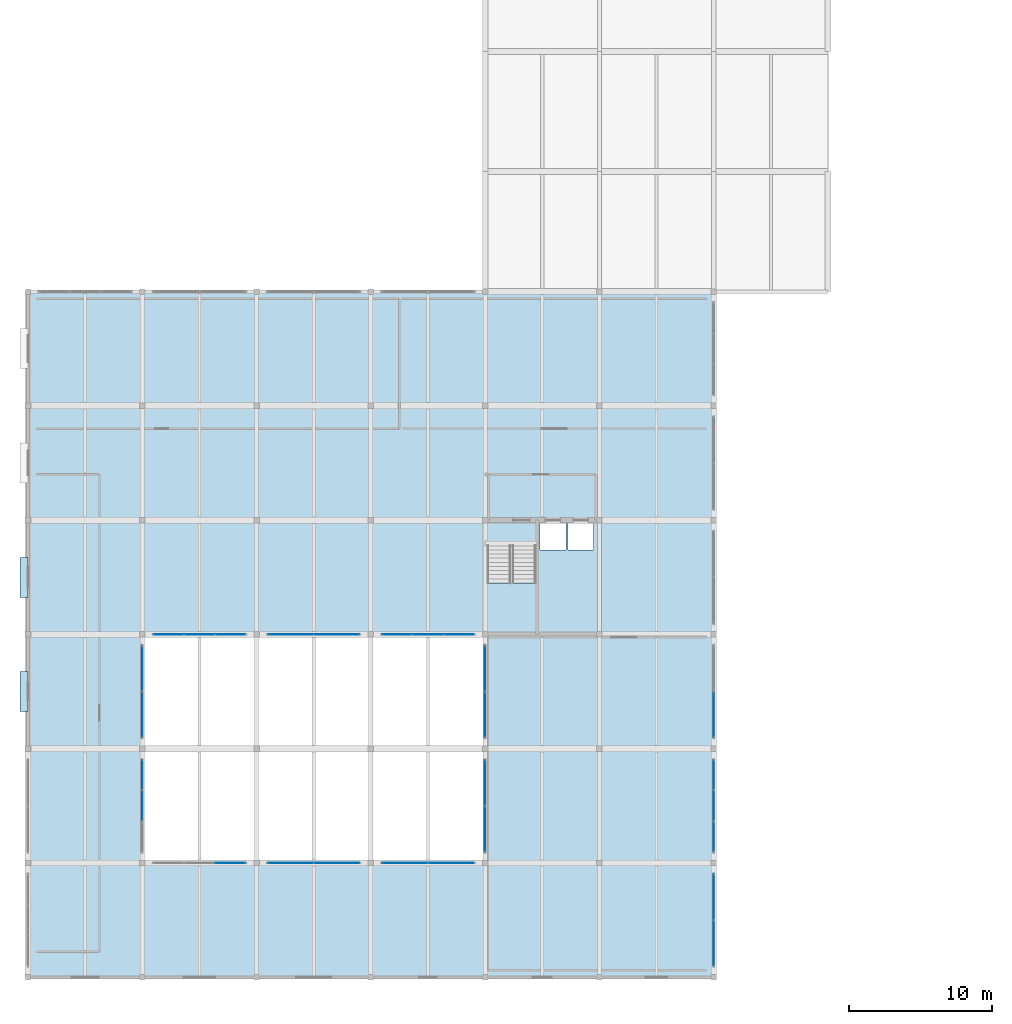
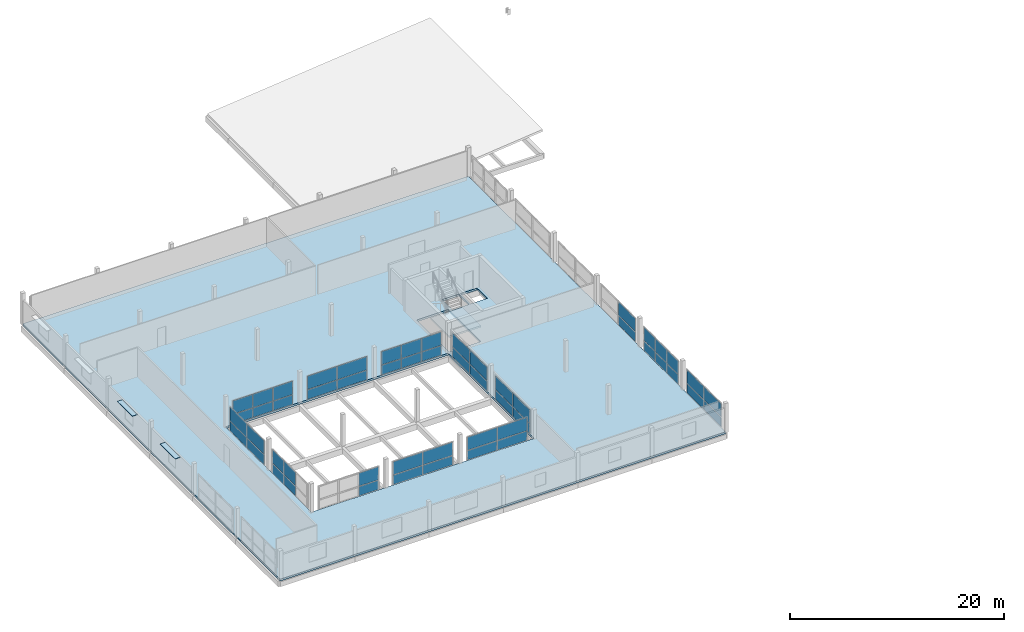
# One storey, part 20 of 34: 56 plates, 2 slabs, 14 elements without a shape of their own.
"""IFC4 building model written with IfcOpenShell, lengths in metres."""

import ifcopenshell
import ifcopenshell.guid

model = None  # the IFC model being written
_history = None  # IfcOwnerHistory: only IFC2X3 demands one
_inside = {}  # id of a spatial element -> (the spatial element, [elements in it])
_under = {}  # id of a project, library or spatial element -> (it, [spatial elements below it])
_declared = {}  # id of a project -> (the project, [libraries it declares])
_typed = {}  # id of a type object -> (the type object, [elements of that type])
_made_of = {}  # id of a material, layer set ... -> (it, [elements and type objects made of it])


def new_model(schema):
    """Start an empty IFC model of exactly this schema.

    Asked for "IFC4X3", IfcOpenShell would pick the latest addendum, in which some entities
    have other attributes; the version numbers below select the first issue.
    IFC2X3 requires an IfcOwnerHistory on every rooted entity: one is made here for all.
    """
    global model, _history
    if schema == "IFC4X3":
        model = ifcopenshell.file(schema_version=(4, 3, 0, 0))
    else:
        model = ifcopenshell.file(schema=schema)
    _inside.clear()
    _under.clear()
    _declared.clear()
    _typed.clear()
    _made_of.clear()
    _history = None
    if model.schema == "IFC2X3":
        org = make("IfcOrganization", Name="unknown")
        user = make(
            "IfcPersonAndOrganization",
            ThePerson=make("IfcPerson", FamilyName="unknown"),
            TheOrganization=org,
        )
        app = make(
            "IfcApplication",
            ApplicationDeveloper=org,
            Version="unknown",
            ApplicationFullName="unknown",
            ApplicationIdentifier="unknown",
        )
        _history = make(
            "IfcOwnerHistory",
            OwningUser=user,
            OwningApplication=app,
            ChangeAction="ADDED",
            CreationDate=0,
        )
    return model


def make(cls, **values):
    """One entity of the class cls with the attributes given. An attribute that is None is left unset."""
    return model.create_entity(
        cls, **{name: value for name, value in values.items() if value is not None}
    )


def rooted(cls, **values):
    """An entity with a GlobalId (a new one), such as an element, a storey or a relation."""
    return make(cls, GlobalId=ifcopenshell.guid.new(), OwnerHistory=_history, **values)


def si_unit(unit_type, name, prefix=None):
    """IfcSIUnit, for example si_unit("LENGTHUNIT", "METRE", prefix="MILLI")."""
    return make("IfcSIUnit", UnitType=unit_type, Prefix=prefix, Name=name)


def assignment(units):
    """IfcUnitAssignment: the units of a project."""
    return None if units is None else make("IfcUnitAssignment", Units=units)


def point(xyz):
    """IfcCartesianPoint."""
    return None if xyz is None else make("IfcCartesianPoint", Coordinates=xyz)


def direction(xyz):
    """IfcDirection."""
    return None if xyz is None else make("IfcDirection", DirectionRatios=xyz)


def frame(location, z_axis=None, x_axis=None):
    """IfcAxis2Placement3D, a coordinate frame: its origin and axes. An axis left out is left unset."""
    return make(
        "IfcAxis2Placement3D",
        Location=point(location),
        Axis=direction(z_axis),
        RefDirection=direction(x_axis),
    )


def frame_2d(location, x_axis=None):
    """IfcAxis2Placement2D, a coordinate frame in the plane: its origin and x axis."""
    return make(
        "IfcAxis2Placement2D", Location=point(location), RefDirection=direction(x_axis)
    )


def origin():
    """The frame at (0, 0, 0) with its axes left unset."""
    return frame((0.0, 0.0, 0.0))


def origin_2d():
    """The frame at (0, 0) in the plane with its x axis left unset."""
    return frame_2d((0.0, 0.0))


def place(relative_to, where):
    """IfcLocalPlacement: puts the frame where relative to a parent placement (None: the world)."""
    return make(
        "IfcLocalPlacement", PlacementRelTo=relative_to, RelativePlacement=where
    )


def context(
    kind, dimensions, precision=None, world=None, true_north=None, identifier=None
):
    """IfcGeometricRepresentationContext, for example the 3D "Model" context."""
    return make(
        "IfcGeometricRepresentationContext",
        ContextIdentifier=identifier,
        ContextType=kind,
        CoordinateSpaceDimension=dimensions,
        Precision=precision,
        WorldCoordinateSystem=world,
        TrueNorth=true_north,
    )


def subcontext(parent, identifier, kind, view, scale=None):
    """IfcGeometricRepresentationSubContext, for example "Body" below "Model"."""
    return make(
        "IfcGeometricRepresentationSubContext",
        ContextIdentifier=identifier,
        ContextType=kind,
        ParentContext=parent,
        TargetScale=scale,
        TargetView=view,
    )


def project(units=None, contexts=None):
    """IfcProject with its units and contexts."""
    return rooted(
        "IfcProject",
        Name="project",
        RepresentationContexts=contexts,
        UnitsInContext=assignment(units),
    )


def spatial(cls, under=None, at=None, **own):
    """A site, building, storey or space (cls), placed at a placement, below another one or the project."""
    s = rooted(cls, ObjectPlacement=at, **own)
    if under is not None:
        _under.setdefault(under.id(), (under, []))[1].append(s)
    return s


def polyline(points):
    """IfcPolyline through the points."""
    return make("IfcPolyline", Points=[point(p) for p in points])


def profile(cls, at=None, kind="AREA", **sizes):
    """A parametric profile (cls). Its sizes go by their IFC names, for example OverallWidth=200.0."""
    return make(cls, ProfileType=kind, Position=at, **sizes)


def rectangle(**sizes):
    """IfcRectangleProfileDef."""
    return profile("IfcRectangleProfileDef", **sizes)


def outline(outer, holes=None, kind="AREA"):
    """IfcArbitraryClosedProfileDef: a profile drawn as a closed curve; with holes, ...WithVoids."""
    if holes is None:
        return make("IfcArbitraryClosedProfileDef", ProfileType=kind, OuterCurve=outer)
    return make(
        "IfcArbitraryProfileDefWithVoids",
        ProfileType=kind,
        OuterCurve=outer,
        InnerCurves=holes,
    )


def extrude(swept, where, along, depth):
    """IfcExtrudedAreaSolid: the profile swept, set in the frame where, extruded along a direction by depth."""
    return make(
        "IfcExtrudedAreaSolid",
        SweptArea=swept,
        Position=where,
        ExtrudedDirection=direction(along),
        Depth=depth,
    )


def shape(context_of_items, identifier, shape_type, items):
    """IfcShapeRepresentation: the items that make up one representation, for example the "Body"."""
    return make(
        "IfcShapeRepresentation",
        ContextOfItems=context_of_items,
        RepresentationIdentifier=identifier,
        RepresentationType=shape_type,
        Items=items,
    )


def material(Name=None, Category=None):
    """IfcMaterial."""
    return make("IfcMaterial", Name=Name, Category=Category)


def layer(
    of_material, thickness, ventilated=None, Name=None, Category=None, Priority=None
):
    """IfcMaterialLayer: one layer of a wall or slab, of a material (None: an air gap)."""
    return make(
        "IfcMaterialLayer",
        Material=of_material,
        LayerThickness=thickness,
        IsVentilated=ventilated,
        Name=Name,
        Category=Category,
        Priority=Priority,
    )


def layer_set(layers, Name=None):
    """IfcMaterialLayerSet."""
    return make("IfcMaterialLayerSet", MaterialLayers=layers, LayerSetName=Name)


def made_of(thing, what):
    """Note that an element or type object is made of a material, layer set ...; save() writes the relation."""
    if what is not None:
        _made_of.setdefault(what.id(), (what, []))[1].append(thing)
    return thing


def type_object(cls, material=None, **own):
    """A type object (cls), such as IfcWallType, which elements share."""
    return made_of(rooted(cls, **own), material)


def element(
    cls,
    number,
    at=None,
    inside=None,
    cuts=None,
    type_object=None,
    material=None,
    context=None,
    identifier="Body",
    shape_type=None,
    held_by="IfcProductDefinitionShape",
    body=None,
    shapes=None,
    **own,
):
    """One element of the class cls, such as IfcWall. Its Tag is "e" and its number.

    at: its placement. inside: the storey or other place that contains it. cuts: it is an
    opening in that element (IfcRelVoidsElement). A single representation is given by context,
    identifier, shape_type and body (its items); several are given by shapes. held_by: the class
    of the entity that holds the representations. save() writes the other relations.
    """
    e = rooted(cls, Tag="e%d" % number, ObjectPlacement=at, **own)
    if body is not None:
        shapes = [shape(context, identifier, shape_type, body)]
    if shapes is not None:
        e.Representation = make(held_by, Representations=shapes)
    if inside is not None:
        _inside.setdefault(inside.id(), (inside, []))[1].append(e)
    if cuts is not None:
        rooted(
            "IfcRelVoidsElement", RelatingBuildingElement=cuts, RelatedOpeningElement=e
        )
    if type_object is not None:
        _typed.setdefault(type_object.id(), (type_object, []))[1].append(e)
    return made_of(e, material)


def aggregate(whole, parts):
    """IfcRelAggregates: a whole, such as a stair, and the parts it consists of."""
    return rooted("IfcRelAggregates", RelatingObject=whole, RelatedObjects=parts)


def save(model, path):
    """Write the relations noted so far, then the file.

    IfcRelAggregates (storeys below a building ...), IfcRelContainedInSpatialStructure (elements
    in a storey), IfcRelDefinesByType, IfcRelAssociatesMaterial and IfcRelDeclares: one each for
    every whole, place, type object, material and project.
    """
    for whole, parts in _under.values():
        aggregate(whole, parts)
    for where, things in _inside.values():
        rooted(
            "IfcRelContainedInSpatialStructure",
            RelatedElements=things,
            RelatingStructure=where,
        )
    for kind, things in _typed.values():
        rooted("IfcRelDefinesByType", RelatedObjects=things, RelatingType=kind)
    for what, things in _made_of.values():
        rooted("IfcRelAssociatesMaterial", RelatedObjects=things, RelatingMaterial=what)
    for by, libraries in _declared.values():
        rooted("IfcRelDeclares", RelatingContext=by, RelatedDefinitions=libraries)
    model.write(path)


model = new_model("IFC4")

# Units and contexts
model_context = context("Model", 3, precision=1e-05, world=origin(), true_north=direction((0.0, 1.0)))
body_context = subcontext(model_context, "Body", "Model", "MODEL_VIEW")
ifc_project = project(units=[si_unit("LENGTHUNIT", "METRE"), si_unit("AREAUNIT", "SQUARE_METRE"), si_unit("VOLUMEUNIT", "CUBIC_METRE"), si_unit("PLANEANGLEUNIT", "RADIAN"), si_unit("MASSUNIT", "GRAM", prefix="KILO")], contexts=[model_context])

# Site, building, storey
site_placement = place(None, origin())
site = spatial("IfcSite", under=ifc_project, at=site_placement, CompositionType="ELEMENT")
building_placement = place(site_placement, origin())
building = spatial("IfcBuilding", under=site, at=building_placement, Name="Vharandega Faculty of Natural Sciences", CompositionType="ELEMENT")
storey_placement = place(building_placement, frame((0.0, 0.0, 21.60009765625)))
storey = spatial("IfcBuildingStorey", under=building, at=storey_placement, Name="L05", CompositionType="ELEMENT", Elevation=21.60009765625)

# Curtain wall, plates
ifc_material_1 = material(Name="Aluminium and solar-control glass curtain wall", Category="aluminium")
curtain_wall_type_1 = type_object("IfcCurtainWallType", Name="Unitised Curtain Wall System CW-28", PredefinedType="NOTDEFINED", material=ifc_material_1)
curtain_wall_1_placement = place(storey_placement, origin())
curtain_wall_1 = element("IfcCurtainWall", 1, at=curtain_wall_1_placement, inside=storey, type_object=curtain_wall_type_1, Name="Curtain Wall CW-L05-195", PredefinedType="NOTDEFINED")
ifc_material_2 = material(Name="Double-glazed low-E solar glass", Category="glass")
ifc_layer_1 = layer(ifc_material_2, 0.028076171875, Name="Double-glazed low-E solar glass")
ifc_layer_set_1 = layer_set([ifc_layer_1], Name="Double-glazed low-E solar glass")
plate_type_1 = type_object("IfcPlateType", Name="CW Solar Vision Panel 28mm", PredefinedType="CURTAIN_PANEL", material=ifc_layer_set_1)
plate_1_placement = place(storey_placement, frame((48.0, 18.385009765625, 0.06005859375), z_axis=(0.0, 0.0, 1.0), x_axis=(0.0, 1.0, 0.0)))
plate_1 = element("IfcPlate", 2, at=plate_1_placement, type_object=plate_type_1, Name="CW-28 panel 1.1", PredefinedType="CURTAIN_PANEL", context=body_context, shape_type="SweptSolid", body=[
    extrude(rectangle(XDim=3.169921875, YDim=0.028076171875, at=origin_2d()), origin(), (0.0, 0.0, 1.0), 1.069091796875),
])
plate_2_placement = place(storey_placement, frame((48.0, 18.385009765625, 1.189208984375), z_axis=(0.0, 0.0, 1.0), x_axis=(0.0, 1.0, 0.0)))
plate_2 = element("IfcPlate", 3, at=plate_2_placement, type_object=plate_type_1, Name="CW-28 panel 1.2", PredefinedType="CURTAIN_PANEL", context=body_context, shape_type="SweptSolid", body=[
    extrude(rectangle(XDim=3.169921875, YDim=0.028076171875, at=origin_2d()), origin(), (0.0, 0.0, 1.0), 1.5107421875),
])
plate_3_placement = place(storey_placement, frame((48.0, 21.614990234375, 0.06005859375), z_axis=(0.0, 0.0, 1.0), x_axis=(0.0, 1.0, 0.0)))
plate_3 = element("IfcPlate", 4, at=plate_3_placement, type_object=plate_type_1, Name="CW-28 panel 2.1", PredefinedType="CURTAIN_PANEL", context=body_context, shape_type="SweptSolid", body=[
    extrude(rectangle(XDim=3.169921875, YDim=0.028076171875, at=origin_2d()), origin(), (0.0, 0.0, 1.0), 1.069091796875),
])
plate_4_placement = place(storey_placement, frame((48.0, 21.614990234375, 1.189208984375), z_axis=(0.0, 0.0, 1.0), x_axis=(0.0, 1.0, 0.0)))
plate_4 = element("IfcPlate", 5, at=plate_4_placement, type_object=plate_type_1, Name="CW-28 panel 2.2", PredefinedType="CURTAIN_PANEL", context=body_context, shape_type="SweptSolid", body=[
    extrude(rectangle(XDim=3.169921875, YDim=0.028076171875, at=origin_2d()), origin(), (0.0, 0.0, 1.0), 1.5107421875),
])
aggregate(curtain_wall_1, [plate_1, plate_2, plate_3, plate_4])

ifc_material_3 = material(Name="Aluminium and solar-control glass curtain wall", Category="aluminium")
curtain_wall_type_2 = type_object("IfcCurtainWallType", Name="Unitised Curtain Wall System CW-01", PredefinedType="NOTDEFINED", material=ifc_material_3)
curtain_wall_2_placement = place(storey_placement, origin())
curtain_wall_2 = element("IfcCurtainWall", 6, at=curtain_wall_2_placement, inside=storey, type_object=curtain_wall_type_2, Name="Curtain Wall CW-L05-196", PredefinedType="NOTDEFINED")
plate_5_placement = place(storey_placement, frame((48.0, 25.841552734375, 0.06005859375), z_axis=(0.0, 0.0, 1.0), x_axis=(0.0, 1.0, 0.0)))
plate_5 = element("IfcPlate", 7, at=plate_5_placement, type_object=plate_type_1, Name="CW-01 panel 1.1", PredefinedType="CURTAIN_PANEL", context=body_context, shape_type="SweptSolid", body=[
    extrude(rectangle(XDim=2.083251953125, YDim=0.028076171875, at=origin_2d()), origin(), (0.0, 0.0, 1.0), 1.069091796875),
])
plate_6_placement = place(storey_placement, frame((48.0, 25.841552734375, 1.189208984375), z_axis=(0.0, 0.0, 1.0), x_axis=(0.0, 1.0, 0.0)))
plate_6 = element("IfcPlate", 8, at=plate_6_placement, type_object=plate_type_1, Name="CW-01 panel 1.2", PredefinedType="CURTAIN_PANEL", context=body_context, shape_type="SweptSolid", body=[
    extrude(rectangle(XDim=2.083251953125, YDim=0.028076171875, at=origin_2d()), origin(), (0.0, 0.0, 1.0), 1.5107421875),
])
plate_7_placement = place(storey_placement, frame((48.0, 28.0, 0.06005859375), z_axis=(0.0, 0.0, 1.0), x_axis=(0.0, 1.0, 0.0)))
plate_7 = element("IfcPlate", 9, at=plate_7_placement, type_object=plate_type_1, Name="CW-01 panel 2.1", PredefinedType="CURTAIN_PANEL", context=body_context, shape_type="SweptSolid", body=[
    extrude(rectangle(XDim=2.11328125, YDim=0.028076171875, at=origin_2d()), origin(), (0.0, 0.0, 1.0), 1.069091796875),
])
plate_8_placement = place(storey_placement, frame((48.0, 28.0, 1.189208984375), z_axis=(0.0, 0.0, 1.0), x_axis=(0.0, 1.0, 0.0)))
plate_8 = element("IfcPlate", 10, at=plate_8_placement, type_object=plate_type_1, Name="CW-01 panel 2.2", PredefinedType="CURTAIN_PANEL", context=body_context, shape_type="SweptSolid", body=[
    extrude(rectangle(XDim=2.11328125, YDim=0.028076171875, at=origin_2d()), origin(), (0.0, 0.0, 1.0), 1.5107421875),
])
plate_9_placement = place(storey_placement, frame((48.0, 30.158447265625, 0.06005859375), z_axis=(0.0, 0.0, 1.0), x_axis=(0.0, 1.0, 0.0)))
plate_9 = element("IfcPlate", 11, at=plate_9_placement, type_object=plate_type_1, Name="CW-01 panel 3.1", PredefinedType="CURTAIN_PANEL", context=body_context, shape_type="SweptSolid", body=[
    extrude(rectangle(XDim=2.083251953125, YDim=0.028076171875, at=origin_2d()), origin(), (0.0, 0.0, 1.0), 1.069091796875),
])
plate_10_placement = place(storey_placement, frame((48.0, 30.158447265625, 1.189208984375), z_axis=(0.0, 0.0, 1.0), x_axis=(0.0, 1.0, 0.0)))
plate_10 = element("IfcPlate", 12, at=plate_10_placement, type_object=plate_type_1, Name="CW-01 panel 3.2", PredefinedType="CURTAIN_PANEL", context=body_context, shape_type="SweptSolid", body=[
    extrude(rectangle(XDim=2.083251953125, YDim=0.028076171875, at=origin_2d()), origin(), (0.0, 0.0, 1.0), 1.5107421875),
])
aggregate(curtain_wall_2, [plate_5, plate_6, plate_7, plate_8, plate_9, plate_10])

ifc_material_4 = material(Name="Aluminium and solar-control glass curtain wall", Category="aluminium")
curtain_wall_type_3 = type_object("IfcCurtainWallType", Name="Unitised Curtain Wall System CW-02", PredefinedType="NOTDEFINED", material=ifc_material_4)
curtain_wall_3_placement = place(storey_placement, origin())
curtain_wall_3 = element("IfcCurtainWall", 13, at=curtain_wall_3_placement, inside=storey, type_object=curtain_wall_type_3, Name="Curtain Wall CW-L05-197", PredefinedType="NOTDEFINED")
plate_11_placement = place(storey_placement, frame((48.0, 34.385009765625, 0.06005859375), z_axis=(0.0, 0.0, 1.0), x_axis=(0.0, 1.0, 0.0)))
plate_11 = element("IfcPlate", 14, at=plate_11_placement, type_object=plate_type_1, Name="CW-02 panel 1.1", PredefinedType="CURTAIN_PANEL", context=body_context, shape_type="SweptSolid", body=[
    extrude(rectangle(XDim=3.169921875, YDim=0.028076171875, at=origin_2d()), origin(), (0.0, 0.0, 1.0), 1.069091796875),
])
plate_12_placement = place(storey_placement, frame((48.0, 34.385009765625, 1.189208984375), z_axis=(0.0, 0.0, 1.0), x_axis=(0.0, 1.0, 0.0)))
plate_12 = element("IfcPlate", 15, at=plate_12_placement, type_object=plate_type_1, Name="CW-02 panel 1.2", PredefinedType="CURTAIN_PANEL", context=body_context, shape_type="SweptSolid", body=[
    extrude(rectangle(XDim=3.169921875, YDim=0.028076171875, at=origin_2d()), origin(), (0.0, 0.0, 1.0), 1.5107421875),
])
aggregate(curtain_wall_3, [plate_11, plate_12])

ifc_material_5 = material(Name="Aluminium and solar-control glass curtain wall", Category="aluminium")
curtain_wall_type_4 = type_object("IfcCurtainWallType", Name="Unitised Curtain Wall System CW-10", PredefinedType="NOTDEFINED", material=ifc_material_5)
curtain_wall_4_placement = place(storey_placement, origin())
curtain_wall_4 = element("IfcCurtainWall", 16, at=curtain_wall_4_placement, inside=storey, type_object=curtain_wall_type_4, Name="Curtain Wall CW-L05-205", PredefinedType="NOTDEFINED")
plate_13_placement = place(storey_placement, frame((14.158447265625, 24.0, 0.06005859375), z_axis=(0.0, 0.0, 1.0), x_axis=(1.0, 0.0, 0.0)))
plate_13 = element("IfcPlate", 17, at=plate_13_placement, type_object=plate_type_1, Name="CW-10 panel 3.1", PredefinedType="CURTAIN_PANEL", context=body_context, shape_type="SweptSolid", body=[
    extrude(rectangle(XDim=2.083251953125, YDim=0.028076171875, at=origin_2d()), origin(), (0.0, 0.0, 1.0), 1.052490234375),
])
plate_14_placement = place(storey_placement, frame((14.158447265625, 24.0, 1.17236328125), z_axis=(0.0, 0.0, 1.0), x_axis=(1.0, 0.0, 0.0)))
plate_14 = element("IfcPlate", 18, at=plate_14_placement, type_object=plate_type_1, Name="CW-10 panel 3.2", PredefinedType="CURTAIN_PANEL", context=body_context, shape_type="SweptSolid", body=[
    extrude(rectangle(XDim=2.083251953125, YDim=0.028076171875, at=origin_2d()), origin(), (0.0, 0.0, 1.0), 1.487548828125),
])
aggregate(curtain_wall_4, [plate_13, plate_14])

ifc_material_6 = material(Name="Aluminium and solar-control glass curtain wall", Category="aluminium")
curtain_wall_type_5 = type_object("IfcCurtainWallType", Name="Unitised Curtain Wall System CW-11", PredefinedType="NOTDEFINED", material=ifc_material_6)
curtain_wall_5_placement = place(storey_placement, origin())
curtain_wall_5 = element("IfcCurtainWall", 19, at=curtain_wall_5_placement, inside=storey, type_object=curtain_wall_type_5, Name="Curtain Wall CW-L05-206", PredefinedType="NOTDEFINED")
plate_15_placement = place(storey_placement, frame((9.841552734375, 40.0, 0.06005859375), z_axis=(0.0, 0.0, 1.0), x_axis=(1.0, 0.0, 0.0)))
plate_15 = element("IfcPlate", 20, at=plate_15_placement, type_object=plate_type_1, Name="CW-11 panel 1.1", PredefinedType="CURTAIN_PANEL", context=body_context, shape_type="SweptSolid", body=[
    extrude(rectangle(XDim=2.083251953125, YDim=0.028076171875, at=origin_2d()), origin(), (0.0, 0.0, 1.0), 1.069091796875),
])
plate_16_placement = place(storey_placement, frame((9.841552734375, 40.0, 1.189208984375), z_axis=(0.0, 0.0, 1.0), x_axis=(1.0, 0.0, 0.0)))
plate_16 = element("IfcPlate", 21, at=plate_16_placement, type_object=plate_type_1, Name="CW-11 panel 1.2", PredefinedType="CURTAIN_PANEL", context=body_context, shape_type="SweptSolid", body=[
    extrude(rectangle(XDim=2.083251953125, YDim=0.028076171875, at=origin_2d()), origin(), (0.0, 0.0, 1.0), 1.5107421875),
])
plate_17_placement = place(storey_placement, frame((12.0, 40.0, 0.06005859375), z_axis=(0.0, 0.0, 1.0), x_axis=(1.0, 0.0, 0.0)))
plate_17 = element("IfcPlate", 22, at=plate_17_placement, type_object=plate_type_1, Name="CW-11 panel 2.1", PredefinedType="CURTAIN_PANEL", context=body_context, shape_type="SweptSolid", body=[
    extrude(rectangle(XDim=2.11328125, YDim=0.028076171875, at=origin_2d()), origin(), (0.0, 0.0, 1.0), 1.069091796875),
])
plate_18_placement = place(storey_placement, frame((12.0, 40.0, 1.189208984375), z_axis=(0.0, 0.0, 1.0), x_axis=(1.0, 0.0, 0.0)))
plate_18 = element("IfcPlate", 23, at=plate_18_placement, type_object=plate_type_1, Name="CW-11 panel 2.2", PredefinedType="CURTAIN_PANEL", context=body_context, shape_type="SweptSolid", body=[
    extrude(rectangle(XDim=2.11328125, YDim=0.028076171875, at=origin_2d()), origin(), (0.0, 0.0, 1.0), 1.5107421875),
])
plate_19_placement = place(storey_placement, frame((14.158447265625, 40.0, 0.06005859375), z_axis=(0.0, 0.0, 1.0), x_axis=(1.0, 0.0, 0.0)))
plate_19 = element("IfcPlate", 24, at=plate_19_placement, type_object=plate_type_1, Name="CW-11 panel 3.1", PredefinedType="CURTAIN_PANEL", context=body_context, shape_type="SweptSolid", body=[
    extrude(rectangle(XDim=2.083251953125, YDim=0.028076171875, at=origin_2d()), origin(), (0.0, 0.0, 1.0), 1.069091796875),
])
plate_20_placement = place(storey_placement, frame((14.158447265625, 40.0, 1.189208984375), z_axis=(0.0, 0.0, 1.0), x_axis=(1.0, 0.0, 0.0)))
plate_20 = element("IfcPlate", 25, at=plate_20_placement, type_object=plate_type_1, Name="CW-11 panel 3.2", PredefinedType="CURTAIN_PANEL", context=body_context, shape_type="SweptSolid", body=[
    extrude(rectangle(XDim=2.083251953125, YDim=0.028076171875, at=origin_2d()), origin(), (0.0, 0.0, 1.0), 1.5107421875),
])
aggregate(curtain_wall_5, [plate_15, plate_16, plate_17, plate_18, plate_19, plate_20])

ifc_material_7 = material(Name="Aluminium and solar-control glass curtain wall", Category="aluminium")
curtain_wall_type_6 = type_object("IfcCurtainWallType", Name="Unitised Curtain Wall System CW-12", PredefinedType="NOTDEFINED", material=ifc_material_7)
curtain_wall_6_placement = place(storey_placement, origin())
curtain_wall_6 = element("IfcCurtainWall", 26, at=curtain_wall_6_placement, inside=storey, type_object=curtain_wall_type_6, Name="Curtain Wall CW-L05-207", PredefinedType="NOTDEFINED")
plate_21_placement = place(storey_placement, frame((18.385009765625, 24.0, 0.06005859375), z_axis=(0.0, 0.0, 1.0), x_axis=(1.0, 0.0, 0.0)))
plate_21 = element("IfcPlate", 27, at=plate_21_placement, type_object=plate_type_1, Name="CW-12 panel 1.1", PredefinedType="CURTAIN_PANEL", context=body_context, shape_type="SweptSolid", body=[
    extrude(rectangle(XDim=3.169921875, YDim=0.028076171875, at=origin_2d()), origin(), (0.0, 0.0, 1.0), 1.052490234375),
])
plate_22_placement = place(storey_placement, frame((18.385009765625, 24.0, 1.17236328125), z_axis=(0.0, 0.0, 1.0), x_axis=(1.0, 0.0, 0.0)))
plate_22 = element("IfcPlate", 28, at=plate_22_placement, type_object=plate_type_1, Name="CW-12 panel 1.2", PredefinedType="CURTAIN_PANEL", context=body_context, shape_type="SweptSolid", body=[
    extrude(rectangle(XDim=3.169921875, YDim=0.028076171875, at=origin_2d()), origin(), (0.0, 0.0, 1.0), 1.487548828125),
])
plate_23_placement = place(storey_placement, frame((21.614990234375, 24.0, 0.06005859375), z_axis=(0.0, 0.0, 1.0), x_axis=(1.0, 0.0, 0.0)))
plate_23 = element("IfcPlate", 29, at=plate_23_placement, type_object=plate_type_1, Name="CW-12 panel 2.1", PredefinedType="CURTAIN_PANEL", context=body_context, shape_type="SweptSolid", body=[
    extrude(rectangle(XDim=3.169921875, YDim=0.028076171875, at=origin_2d()), origin(), (0.0, 0.0, 1.0), 1.052490234375),
])
plate_24_placement = place(storey_placement, frame((21.614990234375, 24.0, 1.17236328125), z_axis=(0.0, 0.0, 1.0), x_axis=(1.0, 0.0, 0.0)))
plate_24 = element("IfcPlate", 30, at=plate_24_placement, type_object=plate_type_1, Name="CW-12 panel 2.2", PredefinedType="CURTAIN_PANEL", context=body_context, shape_type="SweptSolid", body=[
    extrude(rectangle(XDim=3.169921875, YDim=0.028076171875, at=origin_2d()), origin(), (0.0, 0.0, 1.0), 1.487548828125),
])
aggregate(curtain_wall_6, [plate_21, plate_22, plate_23, plate_24])

ifc_material_8 = material(Name="Aluminium and solar-control glass curtain wall", Category="aluminium")
curtain_wall_type_7 = type_object("IfcCurtainWallType", Name="Unitised Curtain Wall System CW-13", PredefinedType="NOTDEFINED", material=ifc_material_8)
curtain_wall_7_placement = place(storey_placement, origin())
curtain_wall_7 = element("IfcCurtainWall", 31, at=curtain_wall_7_placement, inside=storey, type_object=curtain_wall_type_7, Name="Curtain Wall CW-L05-208", PredefinedType="NOTDEFINED")
plate_25_placement = place(storey_placement, frame((18.385009765625, 40.0, 0.06005859375), z_axis=(0.0, 0.0, 1.0), x_axis=(1.0, 0.0, 0.0)))
plate_25 = element("IfcPlate", 32, at=plate_25_placement, type_object=plate_type_1, Name="CW-13 panel 1.1", PredefinedType="CURTAIN_PANEL", context=body_context, shape_type="SweptSolid", body=[
    extrude(rectangle(XDim=3.169921875, YDim=0.028076171875, at=origin_2d()), origin(), (0.0, 0.0, 1.0), 1.069091796875),
])
plate_26_placement = place(storey_placement, frame((18.385009765625, 40.0, 1.189208984375), z_axis=(0.0, 0.0, 1.0), x_axis=(1.0, 0.0, 0.0)))
plate_26 = element("IfcPlate", 33, at=plate_26_placement, type_object=plate_type_1, Name="CW-13 panel 1.2", PredefinedType="CURTAIN_PANEL", context=body_context, shape_type="SweptSolid", body=[
    extrude(rectangle(XDim=3.169921875, YDim=0.028076171875, at=origin_2d()), origin(), (0.0, 0.0, 1.0), 1.5107421875),
])
plate_27_placement = place(storey_placement, frame((21.614990234375, 40.0, 0.06005859375), z_axis=(0.0, 0.0, 1.0), x_axis=(1.0, 0.0, 0.0)))
plate_27 = element("IfcPlate", 34, at=plate_27_placement, type_object=plate_type_1, Name="CW-13 panel 2.1", PredefinedType="CURTAIN_PANEL", context=body_context, shape_type="SweptSolid", body=[
    extrude(rectangle(XDim=3.169921875, YDim=0.028076171875, at=origin_2d()), origin(), (0.0, 0.0, 1.0), 1.069091796875),
])
plate_28_placement = place(storey_placement, frame((21.614990234375, 40.0, 1.189208984375), z_axis=(0.0, 0.0, 1.0), x_axis=(1.0, 0.0, 0.0)))
plate_28 = element("IfcPlate", 35, at=plate_28_placement, type_object=plate_type_1, Name="CW-13 panel 2.2", PredefinedType="CURTAIN_PANEL", context=body_context, shape_type="SweptSolid", body=[
    extrude(rectangle(XDim=3.169921875, YDim=0.028076171875, at=origin_2d()), origin(), (0.0, 0.0, 1.0), 1.5107421875),
])
aggregate(curtain_wall_7, [plate_25, plate_26, plate_27, plate_28])

ifc_material_9 = material(Name="Aluminium and solar-control glass curtain wall", Category="aluminium")
curtain_wall_type_8 = type_object("IfcCurtainWallType", Name="Unitised Curtain Wall System CW-14", PredefinedType="NOTDEFINED", material=ifc_material_9)
curtain_wall_8_placement = place(storey_placement, origin())
curtain_wall_8 = element("IfcCurtainWall", 36, at=curtain_wall_8_placement, inside=storey, type_object=curtain_wall_type_8, Name="Curtain Wall CW-L05-209", PredefinedType="NOTDEFINED")
plate_29_placement = place(storey_placement, frame((26.385009765625, 24.0, 0.06005859375), z_axis=(0.0, 0.0, 1.0), x_axis=(1.0, 0.0, 0.0)))
plate_29 = element("IfcPlate", 37, at=plate_29_placement, type_object=plate_type_1, Name="CW-14 panel 1.1", PredefinedType="CURTAIN_PANEL", context=body_context, shape_type="SweptSolid", body=[
    extrude(rectangle(XDim=3.169921875, YDim=0.028076171875, at=origin_2d()), origin(), (0.0, 0.0, 1.0), 1.052490234375),
])
plate_30_placement = place(storey_placement, frame((26.385009765625, 24.0, 1.17236328125), z_axis=(0.0, 0.0, 1.0), x_axis=(1.0, 0.0, 0.0)))
plate_30 = element("IfcPlate", 38, at=plate_30_placement, type_object=plate_type_1, Name="CW-14 panel 1.2", PredefinedType="CURTAIN_PANEL", context=body_context, shape_type="SweptSolid", body=[
    extrude(rectangle(XDim=3.169921875, YDim=0.028076171875, at=origin_2d()), origin(), (0.0, 0.0, 1.0), 1.487548828125),
])
plate_31_placement = place(storey_placement, frame((29.614990234375, 24.0, 0.06005859375), z_axis=(0.0, 0.0, 1.0), x_axis=(1.0, 0.0, 0.0)))
plate_31 = element("IfcPlate", 39, at=plate_31_placement, type_object=plate_type_1, Name="CW-14 panel 2.1", PredefinedType="CURTAIN_PANEL", context=body_context, shape_type="SweptSolid", body=[
    extrude(rectangle(XDim=3.169921875, YDim=0.028076171875, at=origin_2d()), origin(), (0.0, 0.0, 1.0), 1.052490234375),
])
plate_32_placement = place(storey_placement, frame((29.614990234375, 24.0, 1.17236328125), z_axis=(0.0, 0.0, 1.0), x_axis=(1.0, 0.0, 0.0)))
plate_32 = element("IfcPlate", 40, at=plate_32_placement, type_object=plate_type_1, Name="CW-14 panel 2.2", PredefinedType="CURTAIN_PANEL", context=body_context, shape_type="SweptSolid", body=[
    extrude(rectangle(XDim=3.169921875, YDim=0.028076171875, at=origin_2d()), origin(), (0.0, 0.0, 1.0), 1.487548828125),
])
aggregate(curtain_wall_8, [plate_29, plate_30, plate_31, plate_32])

ifc_material_10 = material(Name="Aluminium and solar-control glass curtain wall", Category="aluminium")
curtain_wall_type_9 = type_object("IfcCurtainWallType", Name="Unitised Curtain Wall System CW-15", PredefinedType="NOTDEFINED", material=ifc_material_10)
curtain_wall_9_placement = place(storey_placement, origin())
curtain_wall_9 = element("IfcCurtainWall", 41, at=curtain_wall_9_placement, inside=storey, type_object=curtain_wall_type_9, Name="Curtain Wall CW-L05-210", PredefinedType="NOTDEFINED")
plate_33_placement = place(storey_placement, frame((25.841552734375, 40.0, 0.06005859375), z_axis=(0.0, 0.0, 1.0), x_axis=(1.0, 0.0, 0.0)))
plate_33 = element("IfcPlate", 42, at=plate_33_placement, type_object=plate_type_1, Name="CW-15 panel 1.1", PredefinedType="CURTAIN_PANEL", context=body_context, shape_type="SweptSolid", body=[
    extrude(rectangle(XDim=2.083251953125, YDim=0.028076171875, at=origin_2d()), origin(), (0.0, 0.0, 1.0), 1.069091796875),
])
plate_34_placement = place(storey_placement, frame((25.841552734375, 40.0, 1.189208984375), z_axis=(0.0, 0.0, 1.0), x_axis=(1.0, 0.0, 0.0)))
plate_34 = element("IfcPlate", 43, at=plate_34_placement, type_object=plate_type_1, Name="CW-15 panel 1.2", PredefinedType="CURTAIN_PANEL", context=body_context, shape_type="SweptSolid", body=[
    extrude(rectangle(XDim=2.083251953125, YDim=0.028076171875, at=origin_2d()), origin(), (0.0, 0.0, 1.0), 1.5107421875),
])
plate_35_placement = place(storey_placement, frame((28.0, 40.0, 0.06005859375), z_axis=(0.0, 0.0, 1.0), x_axis=(1.0, 0.0, 0.0)))
plate_35 = element("IfcPlate", 44, at=plate_35_placement, type_object=plate_type_1, Name="CW-15 panel 2.1", PredefinedType="CURTAIN_PANEL", context=body_context, shape_type="SweptSolid", body=[
    extrude(rectangle(XDim=2.11328125, YDim=0.028076171875, at=origin_2d()), origin(), (0.0, 0.0, 1.0), 1.069091796875),
])
plate_36_placement = place(storey_placement, frame((28.0, 40.0, 1.189208984375), z_axis=(0.0, 0.0, 1.0), x_axis=(1.0, 0.0, 0.0)))
plate_36 = element("IfcPlate", 45, at=plate_36_placement, type_object=plate_type_1, Name="CW-15 panel 2.2", PredefinedType="CURTAIN_PANEL", context=body_context, shape_type="SweptSolid", body=[
    extrude(rectangle(XDim=2.11328125, YDim=0.028076171875, at=origin_2d()), origin(), (0.0, 0.0, 1.0), 1.5107421875),
])
plate_37_placement = place(storey_placement, frame((30.158447265625, 40.0, 0.06005859375), z_axis=(0.0, 0.0, 1.0), x_axis=(1.0, 0.0, 0.0)))
plate_37 = element("IfcPlate", 46, at=plate_37_placement, type_object=plate_type_1, Name="CW-15 panel 3.1", PredefinedType="CURTAIN_PANEL", context=body_context, shape_type="SweptSolid", body=[
    extrude(rectangle(XDim=2.083251953125, YDim=0.028076171875, at=origin_2d()), origin(), (0.0, 0.0, 1.0), 1.069091796875),
])
plate_38_placement = place(storey_placement, frame((30.158447265625, 40.0, 1.189208984375), z_axis=(0.0, 0.0, 1.0), x_axis=(1.0, 0.0, 0.0)))
plate_38 = element("IfcPlate", 47, at=plate_38_placement, type_object=plate_type_1, Name="CW-15 panel 3.2", PredefinedType="CURTAIN_PANEL", context=body_context, shape_type="SweptSolid", body=[
    extrude(rectangle(XDim=2.083251953125, YDim=0.028076171875, at=origin_2d()), origin(), (0.0, 0.0, 1.0), 1.5107421875),
])
aggregate(curtain_wall_9, [plate_33, plate_34, plate_35, plate_36, plate_37, plate_38])

ifc_material_11 = material(Name="Aluminium and solar-control glass curtain wall", Category="aluminium")
curtain_wall_type_10 = type_object("IfcCurtainWallType", Name="Unitised Curtain Wall System CW-16", PredefinedType="NOTDEFINED", material=ifc_material_11)
curtain_wall_10_placement = place(storey_placement, origin())
curtain_wall_10 = element("IfcCurtainWall", 48, at=curtain_wall_10_placement, inside=storey, type_object=curtain_wall_type_10, Name="Curtain Wall CW-L05-211", PredefinedType="NOTDEFINED")
plate_39_placement = place(storey_placement, frame((8.0, 28.0, 0.059814453125), z_axis=(0.0, 0.0, 1.0), x_axis=(0.0, 1.0, 0.0)))
plate_39 = element("IfcPlate", 49, at=plate_39_placement, type_object=plate_type_1, Name="CW-16 panel 2.1", PredefinedType="CURTAIN_PANEL", context=body_context, shape_type="SweptSolid", body=[
    extrude(rectangle(XDim=2.11328125, YDim=0.028076171875, at=origin_2d()), origin(), (0.0, 0.0, 1.0), 1.0859375),
])
plate_40_placement = place(storey_placement, frame((8.0, 28.0, 1.2060546875), z_axis=(0.0, 0.0, 1.0), x_axis=(0.0, 1.0, 0.0)))
plate_40 = element("IfcPlate", 50, at=plate_40_placement, type_object=plate_type_1, Name="CW-16 panel 2.2", PredefinedType="CURTAIN_PANEL", context=body_context, shape_type="SweptSolid", body=[
    extrude(rectangle(XDim=2.11328125, YDim=0.028076171875, at=origin_2d()), origin(), (0.0, 0.0, 1.0), 1.533935546875),
])
plate_41_placement = place(storey_placement, frame((8.0, 30.158447265625, 0.059814453125), z_axis=(0.0, 0.0, 1.0), x_axis=(0.0, 1.0, 0.0)))
plate_41 = element("IfcPlate", 51, at=plate_41_placement, type_object=plate_type_1, Name="CW-16 panel 3.1", PredefinedType="CURTAIN_PANEL", context=body_context, shape_type="SweptSolid", body=[
    extrude(rectangle(XDim=2.083251953125, YDim=0.028076171875, at=origin_2d()), origin(), (0.0, 0.0, 1.0), 1.0859375),
])
plate_42_placement = place(storey_placement, frame((8.0, 30.158447265625, 1.2060546875), z_axis=(0.0, 0.0, 1.0), x_axis=(0.0, 1.0, 0.0)))
plate_42 = element("IfcPlate", 52, at=plate_42_placement, type_object=plate_type_1, Name="CW-16 panel 3.2", PredefinedType="CURTAIN_PANEL", context=body_context, shape_type="SweptSolid", body=[
    extrude(rectangle(XDim=2.083251953125, YDim=0.028076171875, at=origin_2d()), origin(), (0.0, 0.0, 1.0), 1.533935546875),
])
aggregate(curtain_wall_10, [plate_39, plate_40, plate_41, plate_42])

ifc_material_12 = material(Name="Aluminium and solar-control glass curtain wall", Category="aluminium")
curtain_wall_type_11 = type_object("IfcCurtainWallType", Name="Unitised Curtain Wall System CW-17", PredefinedType="NOTDEFINED", material=ifc_material_12)
curtain_wall_11_placement = place(storey_placement, origin())
curtain_wall_11 = element("IfcCurtainWall", 53, at=curtain_wall_11_placement, inside=storey, type_object=curtain_wall_type_11, Name="Curtain Wall CW-L05-212", PredefinedType="NOTDEFINED")
plate_43_placement = place(storey_placement, frame((32.0, 26.385009765625, 0.059814453125), z_axis=(0.0, 0.0, 1.0), x_axis=(0.0, 1.0, 0.0)))
plate_43 = element("IfcPlate", 54, at=plate_43_placement, type_object=plate_type_1, Name="CW-17 panel 1.1", PredefinedType="CURTAIN_PANEL", context=body_context, shape_type="SweptSolid", body=[
    extrude(rectangle(XDim=3.169921875, YDim=0.028076171875, at=origin_2d()), origin(), (0.0, 0.0, 1.0), 1.0859375),
])
plate_44_placement = place(storey_placement, frame((32.0, 26.385009765625, 1.2060546875), z_axis=(0.0, 0.0, 1.0), x_axis=(0.0, 1.0, 0.0)))
plate_44 = element("IfcPlate", 55, at=plate_44_placement, type_object=plate_type_1, Name="CW-17 panel 1.2", PredefinedType="CURTAIN_PANEL", context=body_context, shape_type="SweptSolid", body=[
    extrude(rectangle(XDim=3.169921875, YDim=0.028076171875, at=origin_2d()), origin(), (0.0, 0.0, 1.0), 1.533935546875),
])
plate_45_placement = place(storey_placement, frame((32.0, 29.614990234375, 0.059814453125), z_axis=(0.0, 0.0, 1.0), x_axis=(0.0, 1.0, 0.0)))
plate_45 = element("IfcPlate", 56, at=plate_45_placement, type_object=plate_type_1, Name="CW-17 panel 2.1", PredefinedType="CURTAIN_PANEL", context=body_context, shape_type="SweptSolid", body=[
    extrude(rectangle(XDim=3.169921875, YDim=0.028076171875, at=origin_2d()), origin(), (0.0, 0.0, 1.0), 1.0859375),
])
plate_46_placement = place(storey_placement, frame((32.0, 29.614990234375, 1.2060546875), z_axis=(0.0, 0.0, 1.0), x_axis=(0.0, 1.0, 0.0)))
plate_46 = element("IfcPlate", 57, at=plate_46_placement, type_object=plate_type_1, Name="CW-17 panel 2.2", PredefinedType="CURTAIN_PANEL", context=body_context, shape_type="SweptSolid", body=[
    extrude(rectangle(XDim=3.169921875, YDim=0.028076171875, at=origin_2d()), origin(), (0.0, 0.0, 1.0), 1.533935546875),
])
aggregate(curtain_wall_11, [plate_43, plate_44, plate_45, plate_46])

ifc_material_13 = material(Name="Aluminium and solar-control glass curtain wall", Category="aluminium")
curtain_wall_type_12 = type_object("IfcCurtainWallType", Name="Unitised Curtain Wall System CW-18", PredefinedType="NOTDEFINED", material=ifc_material_13)
curtain_wall_12_placement = place(storey_placement, origin())
curtain_wall_12 = element("IfcCurtainWall", 58, at=curtain_wall_12_placement, inside=storey, type_object=curtain_wall_type_12, Name="Curtain Wall CW-L05-213", PredefinedType="NOTDEFINED")
plate_47_placement = place(storey_placement, frame((8.0, 34.385009765625, 0.06005859375), z_axis=(0.0, 0.0, 1.0), x_axis=(0.0, 1.0, 0.0)))
plate_47 = element("IfcPlate", 59, at=plate_47_placement, type_object=plate_type_1, Name="CW-18 panel 1.1", PredefinedType="CURTAIN_PANEL", context=body_context, shape_type="SweptSolid", body=[
    extrude(rectangle(XDim=3.169921875, YDim=0.028076171875, at=origin_2d()), origin(), (0.0, 0.0, 1.0), 1.102783203125),
])
plate_48_placement = place(storey_placement, frame((8.0, 34.385009765625, 1.22265625), z_axis=(0.0, 0.0, 1.0), x_axis=(0.0, 1.0, 0.0)))
plate_48 = element("IfcPlate", 60, at=plate_48_placement, type_object=plate_type_1, Name="CW-18 panel 1.2", PredefinedType="CURTAIN_PANEL", context=body_context, shape_type="SweptSolid", body=[
    extrude(rectangle(XDim=3.169921875, YDim=0.028076171875, at=origin_2d()), origin(), (0.0, 0.0, 1.0), 1.55712890625),
])
plate_49_placement = place(storey_placement, frame((8.0, 37.614990234375, 0.06005859375), z_axis=(0.0, 0.0, 1.0), x_axis=(0.0, 1.0, 0.0)))
plate_49 = element("IfcPlate", 61, at=plate_49_placement, type_object=plate_type_1, Name="CW-18 panel 2.1", PredefinedType="CURTAIN_PANEL", context=body_context, shape_type="SweptSolid", body=[
    extrude(rectangle(XDim=3.169921875, YDim=0.028076171875, at=origin_2d()), origin(), (0.0, 0.0, 1.0), 1.102783203125),
])
plate_50_placement = place(storey_placement, frame((8.0, 37.614990234375, 1.22265625), z_axis=(0.0, 0.0, 1.0), x_axis=(0.0, 1.0, 0.0)))
plate_50 = element("IfcPlate", 62, at=plate_50_placement, type_object=plate_type_1, Name="CW-18 panel 2.2", PredefinedType="CURTAIN_PANEL", context=body_context, shape_type="SweptSolid", body=[
    extrude(rectangle(XDim=3.169921875, YDim=0.028076171875, at=origin_2d()), origin(), (0.0, 0.0, 1.0), 1.55712890625),
])
aggregate(curtain_wall_12, [plate_47, plate_48, plate_49, plate_50])

ifc_material_14 = material(Name="Aluminium and solar-control glass curtain wall", Category="aluminium")
curtain_wall_type_13 = type_object("IfcCurtainWallType", Name="Unitised Curtain Wall System CW-19", PredefinedType="NOTDEFINED", material=ifc_material_14)
curtain_wall_13_placement = place(storey_placement, origin())
curtain_wall_13 = element("IfcCurtainWall", 63, at=curtain_wall_13_placement, inside=storey, type_object=curtain_wall_type_13, Name="Curtain Wall CW-L05-214", PredefinedType="NOTDEFINED")
plate_51_placement = place(storey_placement, frame((32.0, 34.385009765625, 0.06005859375), z_axis=(0.0, 0.0, 1.0), x_axis=(0.0, 1.0, 0.0)))
plate_51 = element("IfcPlate", 64, at=plate_51_placement, type_object=plate_type_1, Name="CW-19 panel 1.1", PredefinedType="CURTAIN_PANEL", context=body_context, shape_type="SweptSolid", body=[
    extrude(rectangle(XDim=3.169921875, YDim=0.028076171875, at=origin_2d()), origin(), (0.0, 0.0, 1.0), 1.102783203125),
])
plate_52_placement = place(storey_placement, frame((32.0, 34.385009765625, 1.22265625), z_axis=(0.0, 0.0, 1.0), x_axis=(0.0, 1.0, 0.0)))
plate_52 = element("IfcPlate", 65, at=plate_52_placement, type_object=plate_type_1, Name="CW-19 panel 1.2", PredefinedType="CURTAIN_PANEL", context=body_context, shape_type="SweptSolid", body=[
    extrude(rectangle(XDim=3.169921875, YDim=0.028076171875, at=origin_2d()), origin(), (0.0, 0.0, 1.0), 1.55712890625),
])
plate_53_placement = place(storey_placement, frame((32.0, 37.614990234375, 0.06005859375), z_axis=(0.0, 0.0, 1.0), x_axis=(0.0, 1.0, 0.0)))
plate_53 = element("IfcPlate", 66, at=plate_53_placement, type_object=plate_type_1, Name="CW-19 panel 2.1", PredefinedType="CURTAIN_PANEL", context=body_context, shape_type="SweptSolid", body=[
    extrude(rectangle(XDim=3.169921875, YDim=0.028076171875, at=origin_2d()), origin(), (0.0, 0.0, 1.0), 1.102783203125),
])
plate_54_placement = place(storey_placement, frame((32.0, 37.614990234375, 1.22265625), z_axis=(0.0, 0.0, 1.0), x_axis=(0.0, 1.0, 0.0)))
plate_54 = element("IfcPlate", 67, at=plate_54_placement, type_object=plate_type_1, Name="CW-19 panel 2.2", PredefinedType="CURTAIN_PANEL", context=body_context, shape_type="SweptSolid", body=[
    extrude(rectangle(XDim=3.169921875, YDim=0.028076171875, at=origin_2d()), origin(), (0.0, 0.0, 1.0), 1.55712890625),
])
aggregate(curtain_wall_13, [plate_51, plate_52, plate_53, plate_54])

# Plates
ifc_material_15 = material(Name="Aluminium solar hood sheet", Category="aluminium")
ifc_layer_2 = layer(ifc_material_15, 0.0400390625, Name="Aluminium solar hood sheet")
ifc_layer_set_2 = layer_set([ifc_layer_2], Name="Aluminium solar hood sheet")
plate_type_2 = type_object("IfcPlateType", Name="North Solar Hood Sheet Plate 40", PredefinedType="SHEET", material=ifc_layer_set_2)
for number, where, z_axis, x_axis, name in (
    (68, (-0.280029296875, 36.0, 2.599853515625), (0.0, 0.0, 1.0), (1.0, 0.0, 0.0), "Solar Shading Hood L05 E"),
    (69, (-0.280029296875, 44.0, 2.599853515625), (0.0, 0.0, 1.0), (1.0, 0.0, 0.0), "Solar Shading Hood L05 F"),
):
    element("IfcPlate", number, at=place(storey_placement, frame(where, z_axis=z_axis, x_axis=x_axis)), inside=storey, type_object=plate_type_2, Name=name, PredefinedType="SHEET", context=body_context, shape_type="SweptSolid", body=[
        extrude(rectangle(XDim=0.56005859375, YDim=2.800048828125, at=origin_2d()), origin(), (0.0, 0.0, 1.0), 0.0400390625),
    ])

# Slab
ifc_material_16 = material(Name="Cross-laminated timber CLT7-240", Category="wood")
ifc_layer_3 = layer(ifc_material_16, 0.219970703125, Name="Cross-laminated timber CLT7-240")
ifc_layer_set_3 = layer_set([ifc_layer_3], Name="Cross-laminated timber CLT7-240")
slab_type_1 = type_object("IfcSlabType", Name="SLAB-CLT-220", PredefinedType="FLOOR", material=ifc_layer_set_3)
slab_1_placement = place(storey_placement, frame((0.0, 0.0, -0.22021484375)))
element("IfcSlab", 70, at=slab_1_placement, inside=storey, type_object=slab_type_1, Name="L05 V5 Floor Slab", PredefinedType="FLOOR", context=body_context, shape_type="SweptSolid", body=[
    extrude(outline(polyline([(0.0, 16.0), (48.0, 16.0), (48.0, 64.0), (0.0, 64.0), (0.0, 16.0)]), holes=[polyline([(8.0, 24.0), (32.0, 24.0), (32.0, 40.0), (8.0, 40.0), (8.0, 24.0)]), polyline([(32.139892578125, 46.14501953125), (32.139892578125, 40.139892578125), (35.56005859375, 40.139892578125), (35.56005859375, 46.14501953125), (32.139892578125, 46.14501953125)]), polyline([(35.85009765625, 45.89990234375), (37.64990234375, 45.89990234375), (37.64990234375, 47.820068359375), (35.85009765625, 47.820068359375), (35.85009765625, 45.89990234375)]), polyline([(37.800048828125, 45.89990234375), (39.60009765625, 45.89990234375), (39.60009765625, 47.820068359375), (37.800048828125, 47.820068359375), (37.800048828125, 45.89990234375)])]), origin(), (0.0, 0.0, 1.0), 0.22021484375),
])

# Stair, slab
ifc_material_17 = material(Name="Concrete C40/50", Category="concrete")
stair_type = type_object("IfcStairType", Name="Escape Dog-Leg Stair W165 H360", PredefinedType="HALF_TURN_STAIR", material=ifc_material_17)
stair_placement = place(storey_placement, origin())
stair = element("IfcStair", 71, at=stair_placement, inside=storey, type_object=stair_type, Name="L05 Escape Stair ST3", PredefinedType="HALF_TURN_STAIR")
ifc_material_18 = material(Name="Concrete C40/50", Category="concrete")
ifc_layer_4 = layer(ifc_material_18, 0.199951171875, Name="Concrete C40/50")
ifc_layer_set_4 = layer_set([ifc_layer_4], Name="Concrete C40/50")
slab_type_2 = type_object("IfcSlabType", Name="Stair Half-Landing Slab 200", PredefinedType="LANDING", material=ifc_layer_set_4)
slab_2_placement = place(storey_placement, frame((0.0, 0.0, 1.599853515625)))
slab_2 = element("IfcSlab", 72, at=slab_2_placement, type_object=slab_type_2, Name="ST3 landing 1", PredefinedType="LANDING", context=body_context, shape_type="SweptSolid", body=[
    extrude(outline(polyline([(32.139892578125, 43.60009765625), (32.139892578125, 40.139892578125), (35.56005859375, 40.139892578125), (35.56005859375, 43.60009765625), (32.139892578125, 43.60009765625)])), origin(), (0.0, 0.0, 1.0), 0.199951171875),
])
aggregate(stair, [slab_2])

save(model, "model.ifc")
